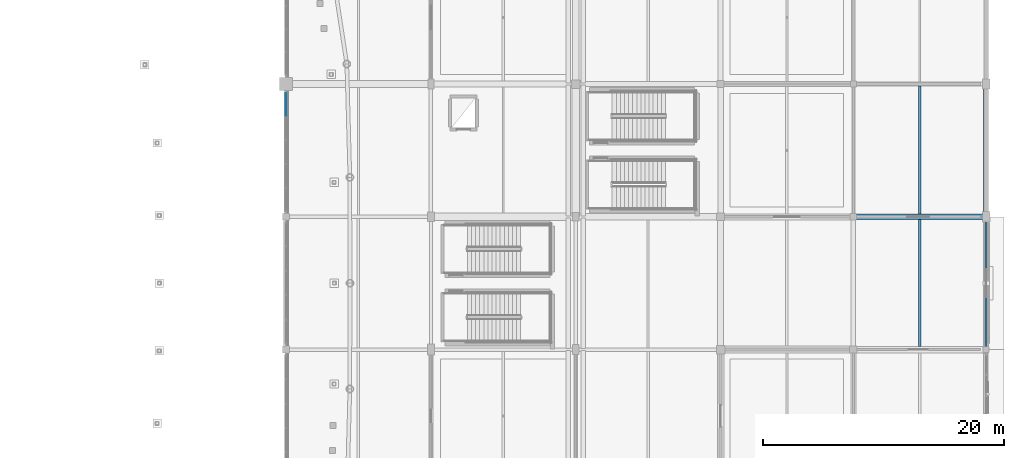
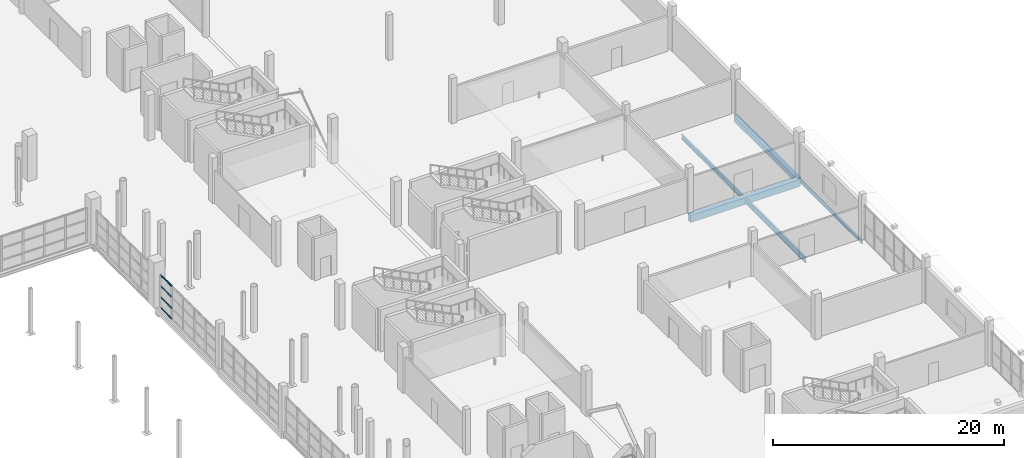
# One storey, part 63 of 143: 5 beams, 4 members, 1 element without a shape of its own.
"""IFC4 building model written with IfcOpenShell, lengths in metres."""

from ifc_helpers import new_model, si_unit, direction, frame, origin, origin_2d, place, context, subcontext, project, spatial, rectangle, i_section, extrude, material, material_profile, profile_set, type_object, element, aggregate, save


model = new_model("IFC4")

# Units and contexts
model_context = context("Model", 3, precision=1e-05, world=origin(), true_north=direction((0.0, 1.0)))
body_context = subcontext(model_context, "Body", "Model", "MODEL_VIEW")
ifc_project = project(units=[si_unit("LENGTHUNIT", "METRE"), si_unit("AREAUNIT", "SQUARE_METRE"), si_unit("VOLUMEUNIT", "CUBIC_METRE"), si_unit("PLANEANGLEUNIT", "RADIAN"), si_unit("MASSUNIT", "GRAM", prefix="KILO")], contexts=[model_context])

# Site, building, storey
site_placement = place(None, origin())
site = spatial("IfcSite", under=ifc_project, at=site_placement, CompositionType="ELEMENT")
building_placement = place(site_placement, origin())
building = spatial("IfcBuilding", under=site, at=building_placement, Name="Luwafu Chhajja Arena", CompositionType="ELEMENT")
storey_placement = place(building_placement, frame((0.0, 0.0, 5.39990234375)))
storey = spatial("IfcBuildingStorey", under=building, at=storey_placement, Name="L01", CompositionType="ELEMENT", Elevation=5.39990234375)

# Curtain wall, members
ifc_material_1 = material(Name="Anodised bronze aluminium", Category="aluminium")
curtain_wall_type = type_object("IfcCurtainWallType", Name="Bowl Concourse Chord Curtain Wall", PredefinedType="USERDEFINED", material=ifc_material_1)
curtain_wall_placement = place(storey_placement, origin())
curtain_wall = element("IfcCurtainWall", 1, at=curtain_wall_placement, inside=storey, type_object=curtain_wall_type, Name="L01 Bowl Viewing Curtain Wall CWR-L01-23", ObjectType="CURTAIN WALL", PredefinedType="USERDEFINED")
ifc_material_profile_1 = material_profile(ifc_material_1, rectangle(XDim=0.06005859375, YDim=0.1298828125, at=origin_2d()), Name="CWT 60x130")
ifc_profile_set_1 = profile_set([ifc_material_profile_1], Name="Anodised bronze aluminium")
member_type = type_object("IfcMemberType", Name="Bronze Curtain Wall Transom 60x130", PredefinedType="USERDEFINED", material=ifc_profile_set_1)
member_1_placement = place(storey_placement, frame((140.0, 63.361083984375, 0.030029296875), z_axis=(0.0, 1.0, 0.0), x_axis=(-1.0, 0.0, 0.0)))
member_1 = element("IfcMember", 2, at=member_1_placement, type_object=member_type, Name="CW-01 transom 5.1", ObjectType="TRANSOM", PredefinedType="USERDEFINED", context=body_context, shape_type="SweptSolid", body=[
    extrude(rectangle(XDim=0.06005859375, YDim=0.1298828125, at=origin_2d()), origin(), (0.0, 0.0, 1.0), 1.888916015625),
])
member_2_placement = place(storey_placement, frame((140.0, 63.361083984375, 1.150146484375), z_axis=(0.0, 1.0, 0.0), x_axis=(-1.0, 0.0, 0.0)))
member_2 = element("IfcMember", 3, at=member_2_placement, type_object=member_type, Name="CW-01 transom 5.2", ObjectType="TRANSOM", PredefinedType="USERDEFINED", context=body_context, shape_type="SweptSolid", body=[
    extrude(rectangle(XDim=0.06005859375, YDim=0.1298828125, at=origin_2d()), origin(), (0.0, 0.0, 1.0), 1.888916015625),
])
member_3_placement = place(storey_placement, frame((140.0, 63.361083984375, 2.320068359375), z_axis=(0.0, 1.0, 0.0), x_axis=(-1.0, 0.0, 0.0)))
member_3 = element("IfcMember", 4, at=member_3_placement, type_object=member_type, Name="CW-01 transom 5.3", ObjectType="TRANSOM", PredefinedType="USERDEFINED", context=body_context, shape_type="SweptSolid", body=[
    extrude(rectangle(XDim=0.06005859375, YDim=0.1298828125, at=origin_2d()), origin(), (0.0, 0.0, 1.0), 1.888916015625),
])
member_4_placement = place(storey_placement, frame((140.0, 63.361083984375, 3.460205078125), z_axis=(0.0, 1.0, 0.0), x_axis=(-1.0, 0.0, 0.0)))
member_4 = element("IfcMember", 5, at=member_4_placement, type_object=member_type, Name="CW-01 transom 5.4", ObjectType="TRANSOM", PredefinedType="USERDEFINED", context=body_context, shape_type="SweptSolid", body=[
    extrude(rectangle(XDim=0.06005859375, YDim=0.1298828125, at=origin_2d()), origin(), (0.0, 0.0, 1.0), 1.888916015625),
])
aggregate(curtain_wall, [member_1, member_2, member_3, member_4])

# Beams
ifc_material_2 = material(Name="Steel S355", Category="steel")
ifc_material_profile_2 = material_profile(ifc_material_2, i_section(OverallWidth=0.165771484375, OverallDepth=0.306640625, WebThickness=0.006591796875, FlangeThickness=0.01171875, at=origin_2d()), Name="UB 305x165x46")
ifc_profile_set_2 = profile_set([ifc_material_profile_2], Name="Steel S355")
beam_type_1 = type_object("IfcBeamType", Name="Concourse Edge Spandrel Beam UB 305x165x46", PredefinedType="SPANDREL", material=ifc_profile_set_2)
beam_1_placement = place(storey_placement, frame((198.0, 44.0, -0.483154296875), z_axis=(0.0, 1.0, 0.0), x_axis=(-1.0, 0.0, 0.0)))
element("IfcBeam", 6, at=beam_1_placement, inside=storey, type_object=beam_type_1, Name="L01 Grid Beam 18/E-F", PredefinedType="SPANDREL", context=body_context, shape_type="SweptSolid", body=[
    extrude(i_section(OverallWidth=0.165771484375, OverallDepth=0.306640625, WebThickness=0.006591796875, FlangeThickness=0.01171875, at=origin_2d()), origin(), (0.0, 0.0, 1.0), 11.0),
])
ifc_material_profile_3 = material_profile(ifc_material_2, i_section(OverallWidth=0.19140625, OverallDepth=0.4599609375, WebThickness=0.010009765625, FlangeThickness=0.01611328125, at=origin_2d()), Name="UB 457x191x82")
ifc_profile_set_3 = profile_set([ifc_material_profile_3], Name="Steel S355")
beam_type_2 = type_object("IfcBeamType", Name="Floor Joist UB 457x191x82", PredefinedType="JOIST", material=ifc_profile_set_3)
beam_2_placement = place(storey_placement, frame((192.5, 55.22509765625, -0.559814453125), z_axis=(0.0, 1.0, 0.0), x_axis=(-1.0, 0.0, 0.0)))
element("IfcBeam", 7, at=beam_2_placement, inside=storey, type_object=beam_type_2, Name="L01 Secondary Joist 17-18/F", PredefinedType="JOIST", context=body_context, shape_type="SweptSolid", body=[
    extrude(i_section(OverallWidth=0.19140625, OverallDepth=0.4599609375, WebThickness=0.010009765625, FlangeThickness=0.01611328125, at=origin_2d()), origin(), (0.0, 0.0, 1.0), 10.599853515625),
])
ifc_material_profile_4 = material_profile(ifc_material_2, i_section(OverallWidth=0.209228515625, OverallDepth=0.533203125, WebThickness=0.010009765625, FlangeThickness=0.015625, at=origin_2d()), Name="UB 533x210x92")
ifc_profile_set_4 = profile_set([ifc_material_profile_4], Name="Steel S355")
beam_type_3 = type_object("IfcBeamType", Name="Floor Joist UB 533x210x92", PredefinedType="JOIST", material=ifc_profile_set_4)
beam_3_placement = place(storey_placement, frame((192.5, 44.27490234375, -0.596435546875), z_axis=(0.0, 1.0, 0.0), x_axis=(-1.0, 0.0, 0.0)))
element("IfcBeam", 8, at=beam_3_placement, inside=storey, type_object=beam_type_3, Name="L01 Secondary Joist 17-18/E", PredefinedType="JOIST", context=body_context, shape_type="SweptSolid", body=[
    extrude(i_section(OverallWidth=0.209228515625, OverallDepth=0.533203125, WebThickness=0.010009765625, FlangeThickness=0.015625, at=origin_2d()), origin(), (0.0, 0.0, 1.0), 10.5),
])
ifc_material_3 = material(Name="Concrete C35/45", Category="concrete")
ifc_material_profile_5 = material_profile(ifc_material_3, rectangle(XDim=0.39990234375, YDim=0.60009765625, at=origin_2d()), Name="RC 400x600")
ifc_profile_set_5 = profile_set([ifc_material_profile_5], Name="Concrete C35/45")
beam_type_4 = type_object("IfcBeamType", Name="Podium Perimeter Spandrel RC 400x600", PredefinedType="SPANDREL", material=ifc_profile_set_5)
beam_4_placement = place(storey_placement, frame((198.0, 55.0, -0.6298828125), z_axis=(0.0, 1.0, 0.0), x_axis=(-1.0, 0.0, 0.0)))
element("IfcBeam", 9, at=beam_4_placement, inside=storey, type_object=beam_type_4, Name="L01 Grid Beam 18/F-G", PredefinedType="SPANDREL", context=body_context, shape_type="SweptSolid", body=[
    extrude(rectangle(XDim=0.39990234375, YDim=0.60009765625, at=origin_2d()), origin(), (0.0, 0.0, 1.0), 11.0),
])
ifc_material_profile_6 = material_profile(ifc_material_3, rectangle(XDim=0.449951171875, YDim=0.75, at=origin_2d()), Name="RC 450x750")
ifc_profile_set_6 = profile_set([ifc_material_profile_6], Name="Concrete C35/45")
beam_type_5 = type_object("IfcBeamType", Name="Wing Primary Beam RC 450x750", PredefinedType="BEAM", material=ifc_profile_set_6)
beam_5_placement = place(storey_placement, frame((187.0, 55.0, -0.704833984375), z_axis=(1.0, 0.0, 0.0), x_axis=(0.0, 1.0, 0.0)))
element("IfcBeam", 10, at=beam_5_placement, inside=storey, type_object=beam_type_5, Name="L01 Grid Beam 17-18/F", PredefinedType="BEAM", context=body_context, shape_type="SweptSolid", body=[
    extrude(rectangle(XDim=0.449951171875, YDim=0.75, at=origin_2d()), origin(), (0.0, 0.0, 1.0), 11.0),
])

save(model, "model.ifc")
